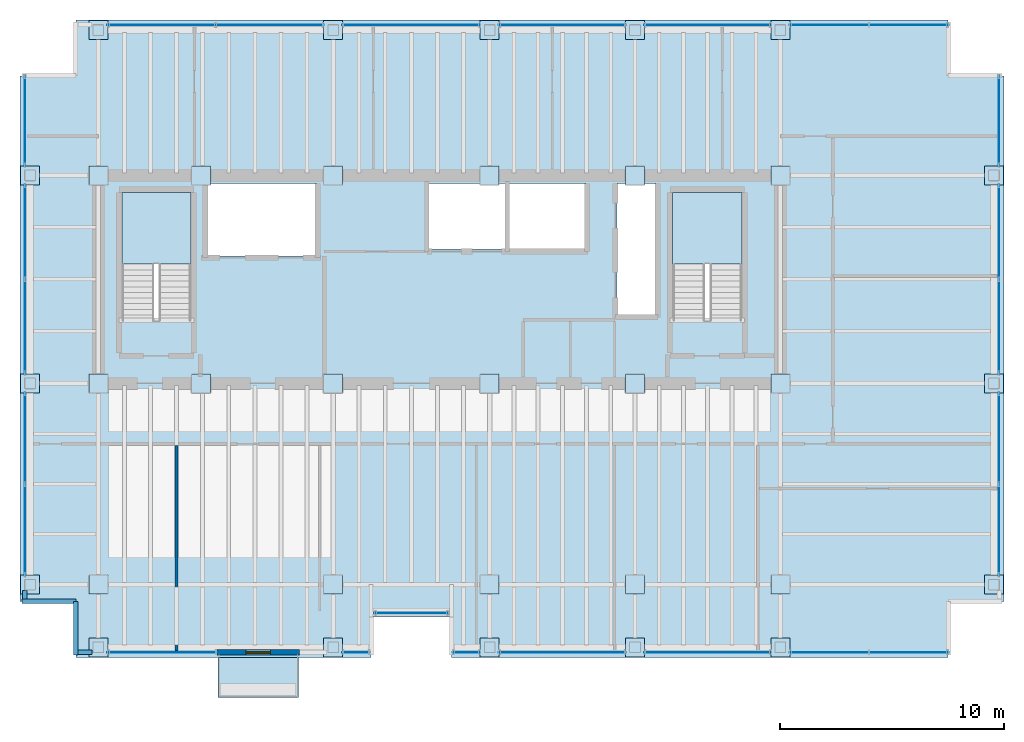
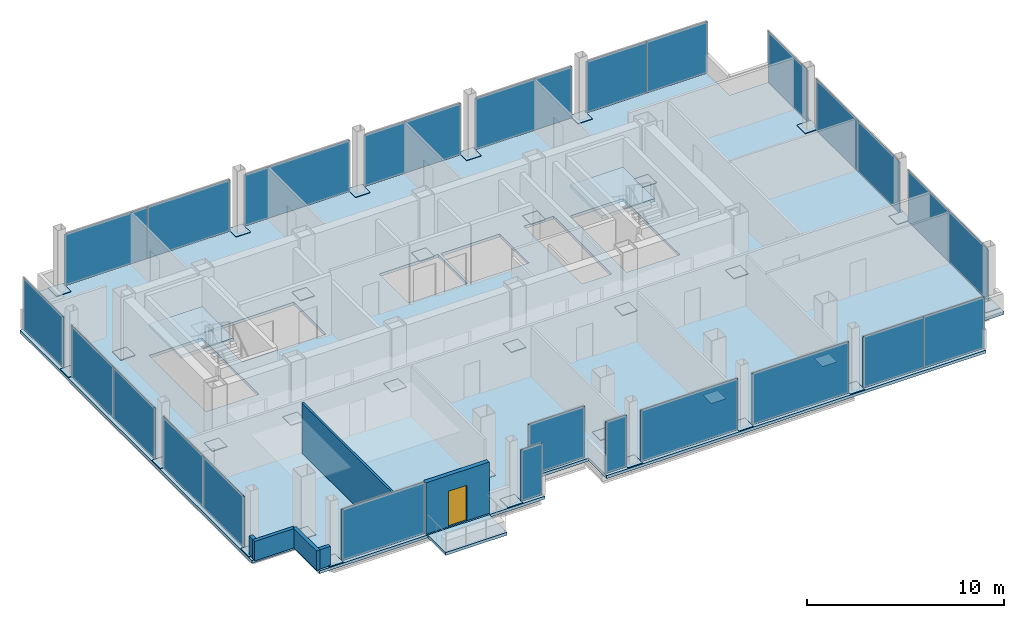
# One storey, part 12 of 15: 58 plates, 6 walls, 4 slabs, 1 door, 7 openings, 20 elements without a shape of their own.
"""IFC4 building model written with IfcOpenShell, lengths in metres."""

from ifc_helpers import new_model, si_unit, direction, frame, frame_2d, origin, origin_2d, place, context, subcontext, project, spatial, polyline, rectangle, outline, extrude, material, layer, layer_set, type_object, element, fill, aggregate, save


model = new_model("IFC4")

# Units and contexts
model_context = context("Model", 3, precision=1e-05, world=origin(), true_north=direction((0.0, 1.0)))
body_context = subcontext(model_context, "Body", "Model", "MODEL_VIEW")
ifc_project = project(units=[si_unit("LENGTHUNIT", "METRE"), si_unit("AREAUNIT", "SQUARE_METRE"), si_unit("VOLUMEUNIT", "CUBIC_METRE"), si_unit("PLANEANGLEUNIT", "RADIAN"), si_unit("MASSUNIT", "GRAM", prefix="KILO")], contexts=[model_context])

# Site, building, storey
site_placement = place(None, origin())
site = spatial("IfcSite", under=ifc_project, at=site_placement, CompositionType="ELEMENT")
building_placement = place(site_placement, origin())
building = spatial("IfcBuilding", under=site, at=building_placement, Name="Noeulbin Bourse Tower", CompositionType="ELEMENT")
storey_placement = place(building_placement, frame((0.0, 0.0, 173.39990234375)))
storey = spatial("IfcBuildingStorey", under=building, at=storey_placement, Name="L43", CompositionType="ELEMENT", Elevation=173.39990234375)

# Curtain wall, plate
ifc_material_1 = material(Name="Dark Tinted Triple Glazing", Category="glass")
curtain_wall_type = type_object("IfcCurtainWallType", Name="CW-SYS-3", PredefinedType="NOTDEFINED", material=ifc_material_1)
curtain_wall_1_placement = place(storey_placement, origin())
curtain_wall_1 = element("IfcCurtainWall", 1, at=curtain_wall_1_placement, inside=storey, type_object=curtain_wall_type, Name="Unitised Curtain Wall CW-L43-SREC", PredefinedType="NOTDEFINED")
ifc_layer_1 = layer(ifc_material_1, 0.035888671875)
ifc_layer_set_1 = layer_set([ifc_layer_1], Name="Dark Tinted Triple Glazing")
plate_type_1 = type_object("IfcPlateType", Name="CW-SYS-3-PNL", PredefinedType="CURTAIN_PANEL", material=ifc_layer_set_1)
plate_1_placement = place(storey_placement, frame((27.5, 18.72998046875, 0.0), z_axis=(0.0, 0.0, 1.0), x_axis=(1.0, 0.0, 0.0)))
plate_1 = element("IfcPlate", 2, at=plate_1_placement, type_object=plate_type_1, Name="Glazed Curtain Panel CW-L43-SREC-P00", PredefinedType="CURTAIN_PANEL", context=body_context, shape_type="SweptSolid", body=[
    extrude(rectangle(XDim=3.300048828125, YDim=0.035888671875, at=origin_2d()), origin(), (0.0, 0.0, 1.0), 3.179931640625),
])
aggregate(curtain_wall_1, [plate_1])

curtain_wall_2_placement = place(storey_placement, origin())
curtain_wall_2 = element("IfcCurtainWall", 3, at=curtain_wall_2_placement, inside=storey, type_object=curtain_wall_type, Name="Unitised Curtain Wall CW-L43-S1", PredefinedType="NOTDEFINED")
plate_2_placement = place(storey_placement, frame((16.35498046875, 16.969970703125, 0.0), z_axis=(0.0, 0.0, 1.0), x_axis=(1.0, 0.0, 0.0)))
plate_2 = element("IfcPlate", 4, at=plate_2_placement, type_object=plate_type_1, Name="Glazed Curtain Panel CW-L43-S1-P00", PredefinedType="CURTAIN_PANEL", context=body_context, shape_type="SweptSolid", body=[
    extrude(rectangle(XDim=4.889892578125, YDim=0.035888671875, at=origin_2d()), origin(), (0.0, 0.0, 1.0), 3.179931640625),
])
aggregate(curtain_wall_2, [plate_2])

curtain_wall_3_placement = place(storey_placement, origin())
curtain_wall_3 = element("IfcCurtainWall", 5, at=curtain_wall_3_placement, inside=storey, type_object=curtain_wall_type, Name="Unitised Curtain Wall CW-L43-S2", PredefinedType="NOTDEFINED")
plate_3_placement = place(storey_placement, frame((25.030029296875, 16.969970703125, 0.0), z_axis=(0.0, 0.0, 1.0), x_axis=(1.0, 0.0, 0.0)))
plate_3 = element("IfcPlate", 6, at=plate_3_placement, type_object=plate_type_1, Name="Glazed Curtain Panel CW-L43-S2-P00", PredefinedType="CURTAIN_PANEL", context=body_context, shape_type="SweptSolid", body=[
    extrude(rectangle(XDim=1.239990234375, YDim=0.035888671875, at=origin_2d()), origin(), (0.0, 0.0, 1.0), 3.179931640625),
])
aggregate(curtain_wall_3, [plate_3])

curtain_wall_4_placement = place(storey_placement, origin())
curtain_wall_4 = element("IfcCurtainWall", 7, at=curtain_wall_4_placement, inside=storey, type_object=curtain_wall_type, Name="Unitised Curtain Wall CW-L43-S3-S1", PredefinedType="NOTDEFINED")
plate_4_placement = place(storey_placement, frame((29.969970703125, 16.969970703125, 0.0), z_axis=(0.0, 0.0, 1.0), x_axis=(1.0, 0.0, 0.0)))
plate_4 = element("IfcPlate", 8, at=plate_4_placement, type_object=plate_type_1, Name="Glazed Curtain Panel CW-L43-S3-S1-P00", PredefinedType="CURTAIN_PANEL", context=body_context, shape_type="SweptSolid", body=[
    extrude(rectangle(XDim=1.239990234375, YDim=0.035888671875, at=origin_2d()), origin(), (0.0, 0.0, 1.0), 3.179931640625),
])
aggregate(curtain_wall_4, [plate_4])

curtain_wall_5_placement = place(storey_placement, origin())
curtain_wall_5 = element("IfcCurtainWall", 9, at=curtain_wall_5_placement, inside=storey, type_object=curtain_wall_type, Name="Unitised Curtain Wall CW-L43-S3-S2", PredefinedType="NOTDEFINED")
plate_5_placement = place(storey_placement, frame((34.25, 16.969970703125, 0.0), z_axis=(0.0, 0.0, 1.0), x_axis=(1.0, 0.0, 0.0)))
plate_5 = element("IfcPlate", 10, at=plate_5_placement, type_object=plate_type_1, Name="Glazed Curtain Panel CW-L43-S3-S2-P00", PredefinedType="CURTAIN_PANEL", context=body_context, shape_type="SweptSolid", body=[
    extrude(rectangle(XDim=5.679931640625, YDim=0.035888671875, at=origin_2d()), origin(), (0.0, 0.0, 1.0), 3.179931640625),
])
aggregate(curtain_wall_5, [plate_5])

curtain_wall_6_placement = place(storey_placement, origin())
curtain_wall_6 = element("IfcCurtainWall", 11, at=curtain_wall_6_placement, inside=storey, type_object=curtain_wall_type, Name="Unitised Curtain Wall CW-L43-S3-S3", PredefinedType="NOTDEFINED")
plate_6_placement = place(storey_placement, frame((40.75, 16.969970703125, 0.0), z_axis=(0.0, 0.0, 1.0), x_axis=(1.0, 0.0, 0.0)))
plate_6 = element("IfcPlate", 12, at=plate_6_placement, type_object=plate_type_1, Name="Glazed Curtain Panel CW-L43-S3-S3-P00", PredefinedType="CURTAIN_PANEL", context=body_context, shape_type="SweptSolid", body=[
    extrude(rectangle(XDim=5.679931640625, YDim=0.035888671875, at=origin_2d()), origin(), (0.0, 0.0, 1.0), 3.179931640625),
])
aggregate(curtain_wall_6, [plate_6])

# Curtain wall, plates
curtain_wall_7_placement = place(storey_placement, origin())
curtain_wall_7 = element("IfcCurtainWall", 13, at=curtain_wall_7_placement, inside=storey, type_object=curtain_wall_type, Name="Unitised Curtain Wall CW-L43-S3-S4", PredefinedType="NOTDEFINED")
plate_7_placement = place(storey_placement, frame((46.1875, 16.969970703125, 0.0), z_axis=(0.0, 0.0, 1.0), x_axis=(1.0, 0.0, 0.0)))
plate_7 = element("IfcPlate", 14, at=plate_7_placement, type_object=plate_type_1, Name="Glazed Curtain Panel CW-L43-S3-S4-P00", PredefinedType="CURTAIN_PANEL", context=body_context, shape_type="SweptSolid", body=[
    extrude(rectangle(XDim=3.554931640625, YDim=0.035888671875, at=origin_2d()), origin(), (0.0, 0.0, 1.0), 3.179931640625),
])
plate_8_placement = place(storey_placement, frame((49.742431640625, 16.969970703125, 0.0), z_axis=(0.0, 0.0, 1.0), x_axis=(1.0, 0.0, 0.0)))
plate_8 = element("IfcPlate", 15, at=plate_8_placement, type_object=plate_type_1, Name="Glazed Curtain Panel CW-L43-S3-S4-P01", PredefinedType="CURTAIN_PANEL", context=body_context, shape_type="SweptSolid", body=[
    extrude(rectangle(XDim=3.554931640625, YDim=0.035888671875, at=origin_2d()), origin(), (0.0, 0.0, 1.0), 3.179931640625),
])
aggregate(curtain_wall_7, [plate_7, plate_8])

curtain_wall_8_placement = place(storey_placement, origin())
curtain_wall_8 = element("IfcCurtainWall", 16, at=curtain_wall_8_placement, inside=storey, type_object=curtain_wall_type, Name="Unitised Curtain Wall CW-L43-N-S1", PredefinedType="NOTDEFINED")
plate_9_placement = place(storey_placement, frame((16.330078125, 45.030029296875, 0.0), z_axis=(0.0, 0.0, 1.0), x_axis=(1.0, 0.0, 0.0)))
plate_9 = element("IfcPlate", 17, at=plate_9_placement, type_object=plate_type_1, Name="Glazed Curtain Panel CW-L43-N-S1-P00", PredefinedType="CURTAIN_PANEL", context=body_context, shape_type="SweptSolid", body=[
    extrude(rectangle(XDim=4.840087890625, YDim=0.035888671875, at=origin_2d()), origin(), (0.0, 0.0, 1.0), 3.179931640625),
])
plate_10_placement = place(storey_placement, frame((21.169921875, 45.030029296875, 0.0), z_axis=(0.0, 0.0, 1.0), x_axis=(1.0, 0.0, 0.0)))
plate_10 = element("IfcPlate", 18, at=plate_10_placement, type_object=plate_type_1, Name="Glazed Curtain Panel CW-L43-N-S1-P01", PredefinedType="CURTAIN_PANEL", context=body_context, shape_type="SweptSolid", body=[
    extrude(rectangle(XDim=4.840087890625, YDim=0.035888671875, at=origin_2d()), origin(), (0.0, 0.0, 1.0), 3.179931640625),
])
aggregate(curtain_wall_8, [plate_9, plate_10])

# Curtain wall, plate
curtain_wall_9_placement = place(storey_placement, origin())
curtain_wall_9 = element("IfcCurtainWall", 19, at=curtain_wall_9_placement, inside=storey, type_object=curtain_wall_type, Name="Unitised Curtain Wall CW-L43-N-S2", PredefinedType="NOTDEFINED")
plate_11_placement = place(storey_placement, frame((27.5, 45.030029296875, 0.0), z_axis=(0.0, 0.0, 1.0), x_axis=(1.0, 0.0, 0.0)))
plate_11 = element("IfcPlate", 20, at=plate_11_placement, type_object=plate_type_1, Name="Glazed Curtain Panel CW-L43-N-S2-P00", PredefinedType="CURTAIN_PANEL", context=body_context, shape_type="SweptSolid", body=[
    extrude(rectangle(XDim=6.179931640625, YDim=0.035888671875, at=origin_2d()), origin(), (0.0, 0.0, 1.0), 3.179931640625),
])
aggregate(curtain_wall_9, [plate_11])

curtain_wall_10_placement = place(storey_placement, origin())
curtain_wall_10 = element("IfcCurtainWall", 21, at=curtain_wall_10_placement, inside=storey, type_object=curtain_wall_type, Name="Unitised Curtain Wall CW-L43-N-S3", PredefinedType="NOTDEFINED")
plate_12_placement = place(storey_placement, frame((34.25, 45.030029296875, 0.0), z_axis=(0.0, 0.0, 1.0), x_axis=(1.0, 0.0, 0.0)))
plate_12 = element("IfcPlate", 22, at=plate_12_placement, type_object=plate_type_1, Name="Glazed Curtain Panel CW-L43-N-S3-P00", PredefinedType="CURTAIN_PANEL", context=body_context, shape_type="SweptSolid", body=[
    extrude(rectangle(XDim=5.679931640625, YDim=0.035888671875, at=origin_2d()), origin(), (0.0, 0.0, 1.0), 3.179931640625),
])
aggregate(curtain_wall_10, [plate_12])

curtain_wall_11_placement = place(storey_placement, origin())
curtain_wall_11 = element("IfcCurtainWall", 23, at=curtain_wall_11_placement, inside=storey, type_object=curtain_wall_type, Name="Unitised Curtain Wall CW-L43-N-S4", PredefinedType="NOTDEFINED")
plate_13_placement = place(storey_placement, frame((40.75, 45.030029296875, 0.0), z_axis=(0.0, 0.0, 1.0), x_axis=(1.0, 0.0, 0.0)))
plate_13 = element("IfcPlate", 24, at=plate_13_placement, type_object=plate_type_1, Name="Glazed Curtain Panel CW-L43-N-S4-P00", PredefinedType="CURTAIN_PANEL", context=body_context, shape_type="SweptSolid", body=[
    extrude(rectangle(XDim=5.679931640625, YDim=0.035888671875, at=origin_2d()), origin(), (0.0, 0.0, 1.0), 3.179931640625),
])
aggregate(curtain_wall_11, [plate_13])

# Curtain wall, plates
curtain_wall_12_placement = place(storey_placement, origin())
curtain_wall_12 = element("IfcCurtainWall", 25, at=curtain_wall_12_placement, inside=storey, type_object=curtain_wall_type, Name="Unitised Curtain Wall CW-L43-N-S5", PredefinedType="NOTDEFINED")
plate_14_placement = place(storey_placement, frame((46.1875, 45.030029296875, 0.0), z_axis=(0.0, 0.0, 1.0), x_axis=(1.0, 0.0, 0.0)))
plate_14 = element("IfcPlate", 26, at=plate_14_placement, type_object=plate_type_1, Name="Glazed Curtain Panel CW-L43-N-S5-P00", PredefinedType="CURTAIN_PANEL", context=body_context, shape_type="SweptSolid", body=[
    extrude(rectangle(XDim=3.554931640625, YDim=0.035888671875, at=origin_2d()), origin(), (0.0, 0.0, 1.0), 3.179931640625),
])
plate_15_placement = place(storey_placement, frame((49.742431640625, 45.030029296875, 0.0), z_axis=(0.0, 0.0, 1.0), x_axis=(1.0, 0.0, 0.0)))
plate_15 = element("IfcPlate", 27, at=plate_15_placement, type_object=plate_type_1, Name="Glazed Curtain Panel CW-L43-N-S5-P01", PredefinedType="CURTAIN_PANEL", context=body_context, shape_type="SweptSolid", body=[
    extrude(rectangle(XDim=3.554931640625, YDim=0.035888671875, at=origin_2d()), origin(), (0.0, 0.0, 1.0), 3.179931640625),
])
aggregate(curtain_wall_12, [plate_14, plate_15])

curtain_wall_13_placement = place(storey_placement, origin())
curtain_wall_13 = element("IfcCurtainWall", 28, at=curtain_wall_13_placement, inside=storey, type_object=curtain_wall_type, Name="Unitised Curtain Wall CW-L43-W-S1", PredefinedType="NOTDEFINED")
plate_16_placement = place(storey_placement, frame((10.219970703125, 22.455078125, 0.0), z_axis=(0.0, 0.0, 1.0), x_axis=(0.0, 1.0, 0.0)))
plate_16 = element("IfcPlate", 29, at=plate_16_placement, type_object=plate_type_1, Name="Glazed Curtain Panel CW-L43-W-S1-P00", PredefinedType="CURTAIN_PANEL", context=body_context, shape_type="SweptSolid", body=[
    extrude(rectangle(XDim=4.090087890625, YDim=0.035888671875, at=origin_2d()), origin(), (0.0, 0.0, 1.0), 3.179931640625),
])
plate_17_placement = place(storey_placement, frame((10.219970703125, 26.544921875, 0.0), z_axis=(0.0, 0.0, 1.0), x_axis=(0.0, 1.0, 0.0)))
plate_17 = element("IfcPlate", 30, at=plate_17_placement, type_object=plate_type_1, Name="Glazed Curtain Panel CW-L43-W-S1-P01", PredefinedType="CURTAIN_PANEL", context=body_context, shape_type="SweptSolid", body=[
    extrude(rectangle(XDim=4.090087890625, YDim=0.035888671875, at=origin_2d()), origin(), (0.0, 0.0, 1.0), 3.179931640625),
])
aggregate(curtain_wall_13, [plate_16, plate_17])

curtain_wall_14_placement = place(storey_placement, origin())
curtain_wall_14 = element("IfcCurtainWall", 31, at=curtain_wall_14_placement, inside=storey, type_object=curtain_wall_type, Name="Unitised Curtain Wall CW-L43-W-S2", PredefinedType="NOTDEFINED")
plate_18_placement = place(storey_placement, frame((10.219970703125, 31.530029296875, 0.0), z_axis=(0.0, 0.0, 1.0), x_axis=(0.0, 1.0, 0.0)))
plate_18 = element("IfcPlate", 32, at=plate_18_placement, type_object=plate_type_1, Name="Glazed Curtain Panel CW-L43-W-S2-P00", PredefinedType="CURTAIN_PANEL", context=body_context, shape_type="SweptSolid", body=[
    extrude(rectangle(XDim=4.239990234375, YDim=0.035888671875, at=origin_2d()), origin(), (0.0, 0.0, 1.0), 3.179931640625),
])
plate_19_placement = place(storey_placement, frame((10.219970703125, 35.77001953125, 0.0), z_axis=(0.0, 0.0, 1.0), x_axis=(0.0, 1.0, 0.0)))
plate_19 = element("IfcPlate", 33, at=plate_19_placement, type_object=plate_type_1, Name="Glazed Curtain Panel CW-L43-W-S2-P01", PredefinedType="CURTAIN_PANEL", context=body_context, shape_type="SweptSolid", body=[
    extrude(rectangle(XDim=4.239990234375, YDim=0.035888671875, at=origin_2d()), origin(), (0.0, 0.0, 1.0), 3.179931640625),
])
aggregate(curtain_wall_14, [plate_18, plate_19])

# Curtain wall, plate
curtain_wall_15_placement = place(storey_placement, origin())
curtain_wall_15 = element("IfcCurtainWall", 34, at=curtain_wall_15_placement, inside=storey, type_object=curtain_wall_type, Name="Unitised Curtain Wall CW-L43-W-S3", PredefinedType="NOTDEFINED")
plate_20_placement = place(storey_placement, frame((10.219970703125, 40.739990234375, 0.0), z_axis=(0.0, 0.0, 1.0), x_axis=(0.0, 1.0, 0.0)))
plate_20 = element("IfcPlate", 35, at=plate_20_placement, type_object=plate_type_1, Name="Glazed Curtain Panel CW-L43-W-S3-P00", PredefinedType="CURTAIN_PANEL", context=body_context, shape_type="SweptSolid", body=[
    extrude(rectangle(XDim=4.06005859375, YDim=0.035888671875, at=origin_2d()), origin(), (0.0, 0.0, 1.0), 3.179931640625),
])
aggregate(curtain_wall_15, [plate_20])

# Curtain wall, plates
curtain_wall_16_placement = place(storey_placement, origin())
curtain_wall_16 = element("IfcCurtainWall", 36, at=curtain_wall_16_placement, inside=storey, type_object=curtain_wall_type, Name="Unitised Curtain Wall CW-L43-E-S1", PredefinedType="NOTDEFINED")
plate_21_placement = place(storey_placement, frame((53.780029296875, 22.455078125, 0.0), z_axis=(0.0, 0.0, 1.0), x_axis=(0.0, 1.0, 0.0)))
plate_21 = element("IfcPlate", 37, at=plate_21_placement, type_object=plate_type_1, Name="Glazed Curtain Panel CW-L43-E-S1-P00", PredefinedType="CURTAIN_PANEL", context=body_context, shape_type="SweptSolid", body=[
    extrude(rectangle(XDim=4.090087890625, YDim=0.035888671875, at=origin_2d()), origin(), (0.0, 0.0, 1.0), 3.179931640625),
])
plate_22_placement = place(storey_placement, frame((53.780029296875, 26.544921875, 0.0), z_axis=(0.0, 0.0, 1.0), x_axis=(0.0, 1.0, 0.0)))
plate_22 = element("IfcPlate", 38, at=plate_22_placement, type_object=plate_type_1, Name="Glazed Curtain Panel CW-L43-E-S1-P01", PredefinedType="CURTAIN_PANEL", context=body_context, shape_type="SweptSolid", body=[
    extrude(rectangle(XDim=4.090087890625, YDim=0.035888671875, at=origin_2d()), origin(), (0.0, 0.0, 1.0), 3.179931640625),
])
aggregate(curtain_wall_16, [plate_21, plate_22])

curtain_wall_17_placement = place(storey_placement, origin())
curtain_wall_17 = element("IfcCurtainWall", 39, at=curtain_wall_17_placement, inside=storey, type_object=curtain_wall_type, Name="Unitised Curtain Wall CW-L43-E-S2", PredefinedType="NOTDEFINED")
plate_23_placement = place(storey_placement, frame((53.780029296875, 31.530029296875, 0.0), z_axis=(0.0, 0.0, 1.0), x_axis=(0.0, 1.0, 0.0)))
plate_23 = element("IfcPlate", 40, at=plate_23_placement, type_object=plate_type_1, Name="Glazed Curtain Panel CW-L43-E-S2-P00", PredefinedType="CURTAIN_PANEL", context=body_context, shape_type="SweptSolid", body=[
    extrude(rectangle(XDim=4.239990234375, YDim=0.035888671875, at=origin_2d()), origin(), (0.0, 0.0, 1.0), 3.179931640625),
])
plate_24_placement = place(storey_placement, frame((53.780029296875, 35.77001953125, 0.0), z_axis=(0.0, 0.0, 1.0), x_axis=(0.0, 1.0, 0.0)))
plate_24 = element("IfcPlate", 41, at=plate_24_placement, type_object=plate_type_1, Name="Glazed Curtain Panel CW-L43-E-S2-P01", PredefinedType="CURTAIN_PANEL", context=body_context, shape_type="SweptSolid", body=[
    extrude(rectangle(XDim=4.239990234375, YDim=0.035888671875, at=origin_2d()), origin(), (0.0, 0.0, 1.0), 3.179931640625),
])
aggregate(curtain_wall_17, [plate_23, plate_24])

# Curtain wall, plate
curtain_wall_18_placement = place(storey_placement, origin())
curtain_wall_18 = element("IfcCurtainWall", 42, at=curtain_wall_18_placement, inside=storey, type_object=curtain_wall_type, Name="Unitised Curtain Wall CW-L43-E-S3", PredefinedType="NOTDEFINED")
plate_25_placement = place(storey_placement, frame((53.780029296875, 40.739990234375, 0.0), z_axis=(0.0, 0.0, 1.0), x_axis=(0.0, 1.0, 0.0)))
plate_25 = element("IfcPlate", 43, at=plate_25_placement, type_object=plate_type_1, Name="Glazed Curtain Panel CW-L43-E-S3-P00", PredefinedType="CURTAIN_PANEL", context=body_context, shape_type="SweptSolid", body=[
    extrude(rectangle(XDim=4.06005859375, YDim=0.035888671875, at=origin_2d()), origin(), (0.0, 0.0, 1.0), 3.179931640625),
])
aggregate(curtain_wall_18, [plate_25])

# Plates
ifc_material_2 = material(Name="Steel S355", Category="steel")
ifc_layer_2 = layer(ifc_material_2, 0.030029296875)
ifc_layer_set_2 = layer_set([ifc_layer_2], Name="Steel S355")
plate_type_2 = type_object("IfcPlateType", Name="PLT-BN1", PredefinedType="USERDEFINED", material=ifc_layer_set_2)
for number, where, z_axis, x_axis, name in (
    (44, (13.5, 29.0, 0.0048828125), (0.0, 0.0, 1.0), (1.0, 0.0, 0.0), "Mega-Column Splice Plate BN1-L43-01"),
    (45, (13.5, 38.300048828125, 0.0048828125), (0.0, 0.0, 1.0), (1.0, 0.0, 0.0), "Mega-Column Splice Plate BN1-L43-02"),
    (46, (18.10009765625, 29.0, 0.0048828125), (0.0, 0.0, 1.0), (1.0, 0.0, 0.0), "Mega-Column Splice Plate BN1-L43-03"),
    (47, (18.10009765625, 38.300048828125, 0.0048828125), (0.0, 0.0, 1.0), (1.0, 0.0, 0.0), "Mega-Column Splice Plate BN1-L43-04"),
    (48, (24.0, 29.0, 0.0048828125), (0.0, 0.0, 1.0), (1.0, 0.0, 0.0), "Mega-Column Splice Plate BN1-L43-05"),
    (49, (24.0, 38.300048828125, 0.0048828125), (0.0, 0.0, 1.0), (1.0, 0.0, 0.0), "Mega-Column Splice Plate BN1-L43-06"),
    (50, (31.0, 29.0, 0.0048828125), (0.0, 0.0, 1.0), (1.0, 0.0, 0.0), "Mega-Column Splice Plate BN1-L43-07"),
    (51, (31.0, 38.300048828125, 0.0048828125), (0.0, 0.0, 1.0), (1.0, 0.0, 0.0), "Mega-Column Splice Plate BN1-L43-08"),
    (52, (37.5, 29.0, 0.0048828125), (0.0, 0.0, 1.0), (1.0, 0.0, 0.0), "Mega-Column Splice Plate BN1-L43-09"),
    (53, (37.5, 38.300048828125, 0.0048828125), (0.0, 0.0, 1.0), (1.0, 0.0, 0.0), "Mega-Column Splice Plate BN1-L43-10"),
    (54, (44.0, 29.0, 0.0048828125), (0.0, 0.0, 1.0), (1.0, 0.0, 0.0), "Mega-Column Splice Plate BN1-L43-11"),
    (55, (44.0, 38.300048828125, 0.0048828125), (0.0, 0.0, 1.0), (1.0, 0.0, 0.0), "Mega-Column Splice Plate BN1-L43-12"),
    (56, (13.5, 20.0, 0.0048828125), (0.0, 0.0, 1.0), (1.0, 0.0, 0.0), "Mega-Column Splice Plate BN1-L43-13"),
    (57, (24.0, 20.0, 0.0048828125), (0.0, 0.0, 1.0), (1.0, 0.0, 0.0), "Mega-Column Splice Plate BN1-L43-14"),
    (58, (31.0, 20.0, 0.0048828125), (0.0, 0.0, 1.0), (1.0, 0.0, 0.0), "Mega-Column Splice Plate BN1-L43-15"),
    (59, (37.5, 20.0, 0.0048828125), (0.0, 0.0, 1.0), (1.0, 0.0, 0.0), "Mega-Column Splice Plate BN1-L43-16"),
    (60, (44.0, 20.0, 0.0048828125), (0.0, 0.0, 1.0), (1.0, 0.0, 0.0), "Mega-Column Splice Plate BN1-L43-17"),
    (61, (10.449951171875, 20.0, 0.0048828125), (0.0, 0.0, 1.0), (1.0, 0.0, 0.0), "Perimeter Column Splice Plate BN1-L43-01"),
    (62, (10.449951171875, 29.0, 0.0048828125), (0.0, 0.0, 1.0), (1.0, 0.0, 0.0), "Perimeter Column Splice Plate BN1-L43-02"),
    (63, (10.449951171875, 38.300048828125, 0.0048828125), (0.0, 0.0, 1.0), (1.0, 0.0, 0.0), "Perimeter Column Splice Plate BN1-L43-03"),
    (64, (13.5, 17.199951171875, 0.0048828125), (0.0, 0.0, 1.0), (1.0, 0.0, 0.0), "Perimeter Column Splice Plate BN1-L43-04"),
    (65, (13.5, 44.800048828125, 0.0048828125), (0.0, 0.0, 1.0), (1.0, 0.0, 0.0), "Perimeter Column Splice Plate BN1-L43-05"),
    (66, (24.0, 17.199951171875, 0.0048828125), (0.0, 0.0, 1.0), (1.0, 0.0, 0.0), "Perimeter Column Splice Plate BN1-L43-06"),
    (67, (24.0, 44.800048828125, 0.0048828125), (0.0, 0.0, 1.0), (1.0, 0.0, 0.0), "Perimeter Column Splice Plate BN1-L43-07"),
    (68, (31.0, 17.199951171875, 0.0048828125), (0.0, 0.0, 1.0), (1.0, 0.0, 0.0), "Perimeter Column Splice Plate BN1-L43-08"),
    (69, (31.0, 44.800048828125, 0.0048828125), (0.0, 0.0, 1.0), (1.0, 0.0, 0.0), "Perimeter Column Splice Plate BN1-L43-09"),
    (70, (37.5, 17.199951171875, 0.0048828125), (0.0, 0.0, 1.0), (1.0, 0.0, 0.0), "Perimeter Column Splice Plate BN1-L43-10"),
    (71, (37.5, 44.800048828125, 0.0048828125), (0.0, 0.0, 1.0), (1.0, 0.0, 0.0), "Perimeter Column Splice Plate BN1-L43-11"),
    (72, (44.0, 17.199951171875, 0.0048828125), (0.0, 0.0, 1.0), (1.0, 0.0, 0.0), "Perimeter Column Splice Plate BN1-L43-12"),
    (73, (44.0, 44.800048828125, 0.0048828125), (0.0, 0.0, 1.0), (1.0, 0.0, 0.0), "Perimeter Column Splice Plate BN1-L43-13"),
    (74, (53.550048828125, 20.0, 0.0048828125), (0.0, 0.0, 1.0), (1.0, 0.0, 0.0), "Perimeter Column Splice Plate BN1-L43-14"),
    (75, (53.550048828125, 29.0, 0.0048828125), (0.0, 0.0, 1.0), (1.0, 0.0, 0.0), "Perimeter Column Splice Plate BN1-L43-15"),
    (76, (53.550048828125, 38.300048828125, 0.0048828125), (0.0, 0.0, 1.0), (1.0, 0.0, 0.0), "Perimeter Column Splice Plate BN1-L43-16"),
):
    element("IfcPlate", number, at=place(storey_placement, frame(where, z_axis=z_axis, x_axis=x_axis)), inside=storey, type_object=plate_type_2, Name=name, ObjectType="SPLICE PLATE", PredefinedType="USERDEFINED", context=body_context, shape_type="SweptSolid", body=[
        extrude(rectangle(XDim=0.85009765625, YDim=0.85009765625, at=origin_2d()), origin(), (0.0, 0.0, 1.0), 0.030029296875),
    ])

# Stair, slab
ifc_material_3 = material(Name="Concrete C40/50", Category="concrete")
stair_type = type_object("IfcStairType", Name="STR-CORE-1560", PredefinedType="HALF_TURN_STAIR", material=ifc_material_3)
stair_1_placement = place(storey_placement, origin())
stair_1 = element("IfcStair", 77, at=stair_1_placement, inside=storey, type_object=stair_type, Name="L43 ST-1", PredefinedType="HALF_TURN_STAIR")
ifc_layer_3 = layer(ifc_material_3, 0.199951171875)
ifc_layer_set_3 = layer_set([ifc_layer_3], Name="Concrete C40/50")
slab_type_1 = type_object("IfcSlabType", Name="SLB-LND-200", PredefinedType="LANDING", material=ifc_layer_set_3)
slab_1_placement = place(storey_placement, frame((0.0, 0.0, 1.75)))
slab_1 = element("IfcSlab", 78, at=slab_1_placement, type_object=slab_type_1, Name="ST-1 landing 1", PredefinedType="LANDING", context=body_context, shape_type="SweptSolid", body=[
    extrude(outline(polyline([(17.64990234375, 34.330078125), (17.64990234375, 37.5439453125), (14.550048828125, 37.5439453125), (14.550048828125, 34.330078125), (17.64990234375, 34.330078125)])), origin(), (0.0, 0.0, 1.0), 0.2001953125),
])
aggregate(stair_1, [slab_1])

stair_2_placement = place(storey_placement, origin())
stair_2 = element("IfcStair", 79, at=stair_2_placement, inside=storey, type_object=stair_type, Name="L43 ST-2", PredefinedType="HALF_TURN_STAIR")
slab_2_placement = place(storey_placement, frame((0.0, 0.0, 1.75)))
slab_2 = element("IfcSlab", 80, at=slab_2_placement, type_object=slab_type_1, Name="ST-2 landing 1", PredefinedType="LANDING", context=body_context, shape_type="SweptSolid", body=[
    extrude(outline(polyline([(42.280029296875, 34.330078125), (42.280029296875, 37.5439453125), (39.179931640625, 37.5439453125), (39.179931640625, 34.330078125), (42.280029296875, 34.330078125)])), origin(), (0.0, 0.0, 1.0), 0.2001953125),
])
aggregate(stair_2, [slab_2])

# Slab, openings
ifc_layer_4 = layer(ifc_material_3, 0.179931640625)
ifc_layer_set_4 = layer_set([ifc_layer_4], Name="Concrete C40/50")
slab_type_2 = type_object("IfcSlabType", Name="SLB-TYP-180", PredefinedType="FLOOR", material=ifc_layer_set_4)
slab_3_placement = place(storey_placement, frame((0.0, 0.0, -0.179931640625)))
slab_3 = element("IfcSlab", 81, at=slab_3_placement, inside=storey, type_object=slab_type_2, Name="Tower Structural Floor Slab L43", PredefinedType="FLOOR", context=body_context, shape_type="SweptSolid", body=[
    extrude(outline(polyline([(12.5, 16.75), (25.699951171875, 16.75), (25.699951171875, 18.550048828125), (29.300048828125, 18.550048828125), (29.300048828125, 16.75), (51.5, 16.75), (51.5, 19.25), (54.0, 19.25), (54.0, 42.75), (51.5, 42.75), (51.5, 45.25), (12.5, 45.25), (12.5, 42.75), (10.0, 42.75), (10.0, 19.25), (12.5, 19.25), (12.5, 16.75)]), holes=[polyline([(17.64990234375, 31.81005859375), (17.64990234375, 37.5439453125), (14.550048828125, 37.5439453125), (14.550048828125, 31.81005859375), (17.64990234375, 31.81005859375)]), polyline([(42.280029296875, 31.81005859375), (42.280029296875, 37.5439453125), (39.179931640625, 37.5439453125), (39.179931640625, 31.81005859375), (42.280029296875, 31.81005859375)]), polyline([(18.35009765625, 34.699951171875), (23.25, 34.699951171875), (23.25, 37.949951171875), (18.35009765625, 37.949951171875), (18.35009765625, 34.699951171875)]), polyline([(36.699951171875, 32.050048828125), (38.449951171875, 32.050048828125), (38.449951171875, 37.949951171875), (36.699951171875, 37.949951171875), (36.699951171875, 32.050048828125)]), polyline([(28.25, 35.0), (31.699951171875, 35.0), (31.699951171875, 37.949951171875), (28.25, 37.949951171875), (28.25, 35.0)]), polyline([(31.85009765625, 35.0), (35.300048828125, 35.0), (35.300048828125, 37.949951171875), (31.85009765625, 37.949951171875), (31.85009765625, 35.0)])]), origin(), (0.0, 0.0, 1.0), 0.179931640625),
])
opening_1_placement = place(slab_3_placement, frame((0.0, 0.0, -0.010009765625)))
element("IfcOpeningElement", 82, at=opening_1_placement, cuts=slab_3, Name="Slab Shaft Opening SLB-L43-TWR-1", PredefinedType="OPENING", context=body_context, shape_type="SweptSolid", body=[
    extrude(outline(polyline([(17.64990234375, 31.81005859375), (17.64990234375, 37.5439453125), (14.550048828125, 37.5439453125), (14.550048828125, 31.81005859375), (17.64990234375, 31.81005859375)])), origin(), (0.0, 0.0, 1.0), 0.199951171875),
])
opening_2_placement = place(slab_3_placement, frame((0.0, 0.0, -0.010009765625)))
element("IfcOpeningElement", 83, at=opening_2_placement, cuts=slab_3, Name="Slab Shaft Opening SLB-L43-TWR-2", PredefinedType="OPENING", context=body_context, shape_type="SweptSolid", body=[
    extrude(outline(polyline([(42.280029296875, 31.81005859375), (42.280029296875, 37.5439453125), (39.179931640625, 37.5439453125), (39.179931640625, 31.81005859375), (42.280029296875, 31.81005859375)])), origin(), (0.0, 0.0, 1.0), 0.199951171875),
])
opening_3_placement = place(slab_3_placement, frame((0.0, 0.0, -0.010009765625)))
element("IfcOpeningElement", 84, at=opening_3_placement, cuts=slab_3, Name="Slab Shaft Opening SLB-L43-TWR-3", PredefinedType="OPENING", context=body_context, shape_type="SweptSolid", body=[
    extrude(outline(polyline([(18.35009765625, 34.699951171875), (23.25, 34.699951171875), (23.25, 37.949951171875), (18.35009765625, 37.949951171875), (18.35009765625, 34.699951171875)])), origin(), (0.0, 0.0, 1.0), 0.199951171875),
])
opening_4_placement = place(slab_3_placement, frame((0.0, 0.0, -0.010009765625)))
element("IfcOpeningElement", 85, at=opening_4_placement, cuts=slab_3, Name="Slab Shaft Opening SLB-L43-TWR-4", PredefinedType="OPENING", context=body_context, shape_type="SweptSolid", body=[
    extrude(outline(polyline([(36.699951171875, 32.050048828125), (38.449951171875, 32.050048828125), (38.449951171875, 37.949951171875), (36.699951171875, 37.949951171875), (36.699951171875, 32.050048828125)])), origin(), (0.0, 0.0, 1.0), 0.199951171875),
])
opening_5_placement = place(slab_3_placement, frame((0.0, 0.0, -0.010009765625)))
element("IfcOpeningElement", 86, at=opening_5_placement, cuts=slab_3, Name="Slab Shaft Opening SLB-L43-TWR-5", PredefinedType="OPENING", context=body_context, shape_type="SweptSolid", body=[
    extrude(outline(polyline([(28.25, 35.0), (31.699951171875, 35.0), (31.699951171875, 37.949951171875), (28.25, 37.949951171875), (28.25, 35.0)])), origin(), (0.0, 0.0, 1.0), 0.199951171875),
])
opening_6_placement = place(slab_3_placement, frame((0.0, 0.0, -0.010009765625)))
element("IfcOpeningElement", 87, at=opening_6_placement, cuts=slab_3, Name="Slab Shaft Opening SLB-L43-TWR-6", PredefinedType="OPENING", context=body_context, shape_type="SweptSolid", body=[
    extrude(outline(polyline([(31.85009765625, 35.0), (35.300048828125, 35.0), (35.300048828125, 37.949951171875), (31.85009765625, 37.949951171875), (31.85009765625, 35.0)])), origin(), (0.0, 0.0, 1.0), 0.199951171875),
])

# Slab
slab_4_placement = place(storey_placement, frame((0.0, 0.0, -0.179931640625)))
element("IfcSlab", 88, at=slab_4_placement, inside=storey, type_object=slab_type_2, Name="Cantilevered Tree-Balcony Slab L43", PredefinedType="FLOOR", context=body_context, shape_type="SweptSolid", body=[
    extrude(outline(polyline([(18.85009765625, 14.949951171875), (22.449951171875, 14.949951171875), (22.449951171875, 16.75), (18.85009765625, 16.75), (18.85009765625, 14.949951171875)])), origin(), (0.0, 0.0, 1.0), 0.179931640625),
])

# Wall, opening, door
ifc_material_4 = material(Name="Precast Concrete C40/50", Category="concrete")
ifc_layer_5 = layer(ifc_material_4, 0.25)
ifc_layer_set_5 = layer_set([ifc_layer_5], Name="Precast Concrete C40/50")
wall_type_1 = type_object("IfcWallType", Name="WAL-EXT-250", PredefinedType="STANDARD", material=ifc_layer_set_5)
wall_1_placement = place(storey_placement, frame((18.800048828125, 16.969970703125, 0.0), z_axis=(0.0, 0.0, 1.0), x_axis=(1.0, 0.0, 0.0)))
wall_1 = element("IfcWall", 89, at=wall_1_placement, inside=storey, type_object=wall_type_1, Name="Balcony Threshold Wall L43", PredefinedType="STANDARD", context=body_context, shape_type="SweptSolid", body=[
    extrude(rectangle(XDim=3.699951171875, YDim=0.25, at=frame_2d((1.85009765625, 0.0))), origin(), (0.0, 0.0, 1.0), 3.18017578125),
])
opening_7_placement = place(wall_1_placement, frame((1.300048828125, 0.0, 0.0)))
opening_7 = element("IfcOpeningElement", 90, at=opening_7_placement, cuts=wall_1, Name="Opening BD-11", PredefinedType="OPENING", context=body_context, shape_type="SweptSolid", body=[
    extrude(rectangle(XDim=1.10009765625, YDim=2.199951171875, at=frame_2d((0.550048828125, 1.10009765625))), frame((0.0, 0.135009765625, 0.0), z_axis=(0.0, -1.0, 0.0), x_axis=(1.0, 0.0, 0.0)), (0.0, 0.0, 1.0), 0.27001953125),
])
ifc_material_5 = material(Name="Thermally Broken Aluminium Framed Glass", Category="aluminium")
door_type = type_object("IfcDoorType", Name="DR-BAL-1100", OperationType="SINGLE_SWING_LEFT", PredefinedType="DOOR", material=ifc_material_5)
door_placement = place(opening_7_placement, origin())
door = element("IfcDoor", 91, at=door_placement, inside=storey, type_object=door_type, Name="Tree-Balcony Access Door BD-L43", OperationType="SINGLE_SWING_LEFT", OverallHeight=2.199951171875, OverallWidth=1.10009765625, PredefinedType="DOOR", context=body_context, shape_type="SweptSolid", body=[
    extrude(rectangle(XDim=1.10009765625, YDim=2.199951171875, at=frame_2d((0.550048828125, 1.10009765625))), frame((0.0, 0.02490234375, 0.0), z_axis=(0.0, -1.0, 0.0), x_axis=(1.0, 0.0, 0.0)), (0.0, 0.0, 1.0), 0.050048828125),
])
fill(opening_7, door)

# Walls
ifc_layer_6 = layer(ifc_material_3, 0.199951171875)
ifc_layer_set_6 = layer_set([ifc_layer_6], Name="Concrete C40/50")
wall_type_2 = type_object("IfcWallType", Name="WAL-PAR-200", PredefinedType="PARAPET", material=ifc_layer_set_6)
wall_2_placement = place(storey_placement, frame((10.219970703125, 19.35009765625, 0.0), z_axis=(0.0, 0.0, 1.0), x_axis=(0.0, 1.0, 0.0)))
element("IfcWall", 92, at=wall_2_placement, inside=storey, type_object=wall_type_2, Name="Perimeter Pier Spandrel Parapet L43-W2", PredefinedType="PARAPET", context=body_context, shape_type="SweptSolid", body=[
    extrude(rectangle(XDim=0.3798828125, YDim=0.199951171875, at=frame_2d((0.18994140625, 0.0))), origin(), (0.0, 0.0, 1.0), 1.2001953125),
])
wall_3_placement = place(storey_placement, frame((12.60009765625, 16.969970703125, 0.0), z_axis=(0.0, 0.0, 1.0), x_axis=(1.0, 0.0, 0.0)))
element("IfcWall", 93, at=wall_3_placement, inside=storey, type_object=wall_type_2, Name="Perimeter Pier Spandrel Parapet L43-S4", PredefinedType="PARAPET", context=body_context, shape_type="SweptSolid", body=[
    extrude(rectangle(XDim=0.6298828125, YDim=0.199951171875, at=frame_2d((0.31494140625, 0.0))), origin(), (0.0, 0.0, 1.0), 1.2001953125),
])
for number, where, z_axis, x_axis, name in (
    (94, (10.10009765625, 19.25, 0.0), (0.0, 0.0, 1.0), (1.0, 0.0, 0.0), "Corner Notch Parapet L43-SW1"),
    (95, (12.5, 19.25, 0.0), (0.0, 0.0, 1.0), (0.0, -1.0, 0.0), "Corner Notch Parapet L43-SW2"),
):
    element("IfcWall", number, at=place(storey_placement, frame(where, z_axis=z_axis, x_axis=x_axis)), inside=storey, type_object=wall_type_2, Name=name, PredefinedType="PARAPET", context=body_context, shape_type="SweptSolid", body=[
        extrude(rectangle(XDim=2.39990234375, YDim=0.199951171875, at=frame_2d((1.199951171875, 0.0))), origin(), (0.0, 0.0, 1.0), 1.2001953125),
    ])
ifc_material_6 = material(Name="Steel Stud Gypsum Partition", Category="steel")
ifc_layer_7 = layer(ifc_material_6, 0.1201171875)
ifc_layer_set_7 = layer_set([ifc_layer_7], Name="Steel Stud Gypsum Partition")
wall_type_3 = type_object("IfcWallType", Name="WAL-PRT-120", PredefinedType="PARTITIONING", material=ifc_layer_set_7)
wall_4_placement = place(storey_placement, frame((17.0, 17.06005859375, 0.0), z_axis=(0.0, 0.0, 1.0), x_axis=(0.0, 1.0, 0.0)))
element("IfcWall", 96, at=wall_4_placement, inside=storey, type_object=wall_type_3, Name="Interior Partition Wall L43-16", PredefinedType="PARTITIONING", context=body_context, shape_type="SweptSolid", body=[
    extrude(rectangle(XDim=9.155029296875, YDim=0.1201171875, at=frame_2d((4.57763671875, 0.0))), origin(), (0.0, 0.0, 1.0), 3.10009765625),
])

save(model, "model.ifc")
